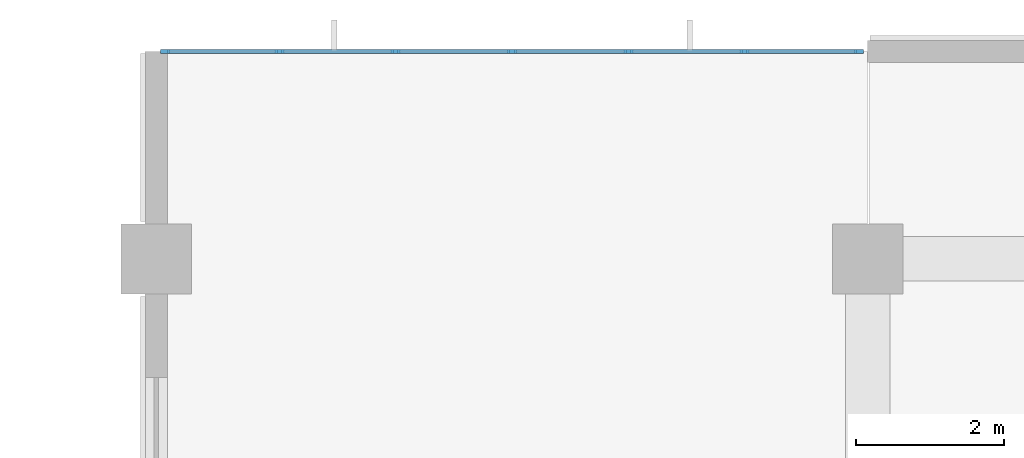
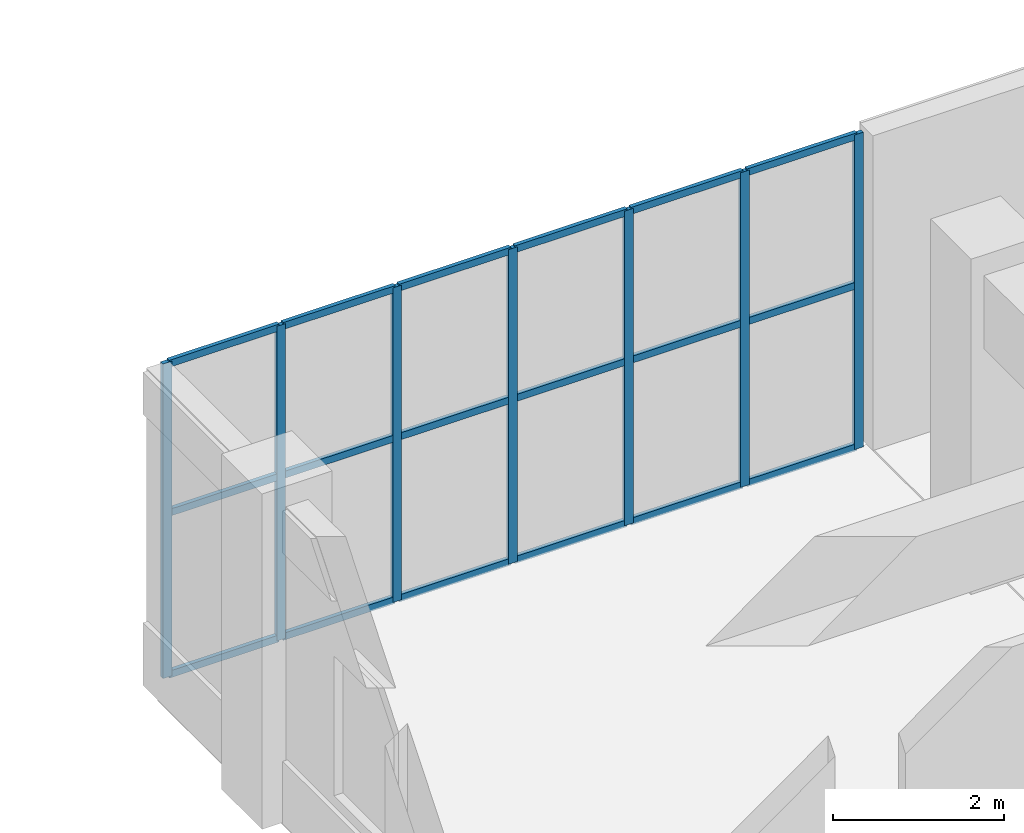
# One storey, part 29 of 86: 25 members, 1 element without a shape of its own.
"""IFC4 building model written with IfcOpenShell, lengths in metres."""

from ifc_helpers import new_model, si_unit, direction, frame, origin, origin_2d, place, context, subcontext, project, spatial, rectangle, extrude, material, layer, layer_set, material_profile, profile_set, type_object, element, aggregate, save


model = new_model("IFC4")

# Units and contexts
model_context = context("Model", 3, precision=1e-05, world=origin(), true_north=direction((0.0, 1.0)))
body_context = subcontext(model_context, "Body", "Model", "MODEL_VIEW")
ifc_project = project(units=[si_unit("LENGTHUNIT", "METRE"), si_unit("AREAUNIT", "SQUARE_METRE"), si_unit("VOLUMEUNIT", "CUBIC_METRE"), si_unit("PLANEANGLEUNIT", "RADIAN"), si_unit("MASSUNIT", "GRAM", prefix="KILO")], contexts=[model_context])

# Site, building, storey
site_placement = place(None, origin())
site = spatial("IfcSite", under=ifc_project, at=site_placement, CompositionType="ELEMENT")
building_placement = place(site_placement, origin())
building = spatial("IfcBuilding", under=site, at=building_placement, Name="Cendralis Terraced Arcade", CompositionType="ELEMENT")
storey_placement = place(building_placement, frame((0.0, 0.0, 5.39990234375)))
storey = spatial("IfcBuildingStorey", under=building, at=storey_placement, Name="L01", CompositionType="ELEMENT", Elevation=5.39990234375)

# Curtain wall, members
ifc_material = material(Name="Anodised aluminium EN AW-6063 T6", Category="aluminium")
ifc_layer = layer(ifc_material, 0.1201171875, Name="CW-STORE-B")
ifc_layer_set = layer_set([ifc_layer], Name="Anodised aluminium EN AW-6063 T6")
curtain_wall_type = type_object("IfcCurtainWallType", Name="CW-STORE-B", PredefinedType="USERDEFINED", material=ifc_layer_set)
curtain_wall_placement = place(storey_placement, origin())
curtain_wall = element("IfcCurtainWall", 1, at=curtain_wall_placement, inside=storey, type_object=curtain_wall_type, Name="Exterior Storefront Glazing CW-L01-0050", ObjectType="STOREFRONT GLAZING", PredefinedType="USERDEFINED")
ifc_material_profile_1 = material_profile(ifc_material, rectangle(XDim=0.054931640625, YDim=0.1201171875, at=origin_2d()), Name="ALU-MUL-55x120")
ifc_profile_set_1 = profile_set([ifc_material_profile_1], Name="Anodised aluminium EN AW-6063 T6")
member_type_1 = type_object("IfcMemberType", Name="CW-STORE-B-MUL", PredefinedType="MULLION", material=ifc_profile_set_1)
member_1_placement = place(storey_placement, frame((48.117431640625, 114.39990234375, 0.0), z_axis=(0.0, 0.0, 1.0), x_axis=(0.0, 1.0, 0.0)))
member_1 = element("IfcMember", 2, at=member_1_placement, type_object=member_type_1, Name="CW-S2 mullion 1", PredefinedType="MULLION", context=body_context, shape_type="SweptSolid", body=[
    extrude(rectangle(XDim=0.054931640625, YDim=0.1201171875, at=origin_2d()), origin(), (0.0, 0.0, 1.0), 4.505126953125),
])
member_2_placement = place(storey_placement, frame((49.659912109375, 114.39990234375, 0.0), z_axis=(0.0, 0.0, 1.0), x_axis=(0.0, 1.0, 0.0)))
member_2 = element("IfcMember", 3, at=member_2_placement, type_object=member_type_1, Name="CW-S2 mullion 2", PredefinedType="MULLION", context=body_context, shape_type="SweptSolid", body=[
    extrude(rectangle(XDim=0.054931640625, YDim=0.1201171875, at=origin_2d()), origin(), (0.0, 0.0, 1.0), 4.505126953125),
])
member_3_placement = place(storey_placement, frame((51.22998046875, 114.39990234375, 0.0), z_axis=(0.0, 0.0, 1.0), x_axis=(0.0, 1.0, 0.0)))
member_3 = element("IfcMember", 4, at=member_3_placement, type_object=member_type_1, Name="CW-S2 mullion 3", PredefinedType="MULLION", context=body_context, shape_type="SweptSolid", body=[
    extrude(rectangle(XDim=0.054931640625, YDim=0.1201171875, at=origin_2d()), origin(), (0.0, 0.0, 1.0), 4.505126953125),
])
member_4_placement = place(storey_placement, frame((52.800048828125, 114.39990234375, 0.0), z_axis=(0.0, 0.0, 1.0), x_axis=(0.0, 1.0, 0.0)))
member_4 = element("IfcMember", 5, at=member_4_placement, type_object=member_type_1, Name="CW-S2 mullion 4", PredefinedType="MULLION", context=body_context, shape_type="SweptSolid", body=[
    extrude(rectangle(XDim=0.054931640625, YDim=0.1201171875, at=origin_2d()), origin(), (0.0, 0.0, 1.0), 4.505126953125),
])
member_5_placement = place(storey_placement, frame((54.3701171875, 114.39990234375, 0.0), z_axis=(0.0, 0.0, 1.0), x_axis=(0.0, 1.0, 0.0)))
member_5 = element("IfcMember", 6, at=member_5_placement, type_object=member_type_1, Name="CW-S2 mullion 5", PredefinedType="MULLION", context=body_context, shape_type="SweptSolid", body=[
    extrude(rectangle(XDim=0.054931640625, YDim=0.1201171875, at=origin_2d()), origin(), (0.0, 0.0, 1.0), 4.505126953125),
])
member_6_placement = place(storey_placement, frame((55.93994140625, 114.39990234375, 0.0), z_axis=(0.0, 0.0, 1.0), x_axis=(0.0, 1.0, 0.0)))
member_6 = element("IfcMember", 7, at=member_6_placement, type_object=member_type_1, Name="CW-S2 mullion 6", PredefinedType="MULLION", context=body_context, shape_type="SweptSolid", body=[
    extrude(rectangle(XDim=0.054931640625, YDim=0.1201171875, at=origin_2d()), origin(), (0.0, 0.0, 1.0), 4.505126953125),
])
member_7_placement = place(storey_placement, frame((57.482421875, 114.39990234375, 0.0), z_axis=(0.0, 0.0, 1.0), x_axis=(0.0, 1.0, 0.0)))
member_7 = element("IfcMember", 8, at=member_7_placement, type_object=member_type_1, Name="CW-S2 mullion 7", PredefinedType="MULLION", context=body_context, shape_type="SweptSolid", body=[
    extrude(rectangle(XDim=0.054931640625, YDim=0.1201171875, at=origin_2d()), origin(), (0.0, 0.0, 1.0), 4.505126953125),
])
ifc_material_profile_2 = material_profile(ifc_material, rectangle(XDim=0.054931640625, YDim=0.10009765625, at=origin_2d()), Name="ALU-TRN-55x100")
ifc_profile_set_2 = profile_set([ifc_material_profile_2], Name="Anodised aluminium EN AW-6063 T6")
member_type_2 = type_object("IfcMemberType", Name="CW-STORE-B-TRN", PredefinedType="USERDEFINED", material=ifc_profile_set_2)
member_8_placement = place(storey_placement, frame((48.14501953125, 114.39990234375, 0.027587890625), z_axis=(1.0, 0.0, 0.0), x_axis=(0.0, 1.0, 0.0)))
member_8 = element("IfcMember", 9, at=member_8_placement, type_object=member_type_2, Name="CW-S2 transom 1.1", ObjectType="TRANSOM", PredefinedType="USERDEFINED", context=body_context, shape_type="SweptSolid", body=[
    extrude(rectangle(XDim=0.054931640625, YDim=0.10009765625, at=origin_2d()), origin(), (0.0, 0.0, 1.0), 1.487548828125),
])
member_9_placement = place(storey_placement, frame((48.14501953125, 114.39990234375, 2.3427734375), z_axis=(1.0, 0.0, 0.0), x_axis=(0.0, 1.0, 0.0)))
member_9 = element("IfcMember", 10, at=member_9_placement, type_object=member_type_2, Name="CW-S2 transom 1.2", ObjectType="TRANSOM", PredefinedType="USERDEFINED", context=body_context, shape_type="SweptSolid", body=[
    extrude(rectangle(XDim=0.054931640625, YDim=0.10009765625, at=origin_2d()), origin(), (0.0, 0.0, 1.0), 1.487548828125),
])
member_10_placement = place(storey_placement, frame((48.14501953125, 114.39990234375, 4.4775390625), z_axis=(1.0, 0.0, 0.0), x_axis=(0.0, 1.0, 0.0)))
member_10 = element("IfcMember", 11, at=member_10_placement, type_object=member_type_2, Name="CW-S2 transom 1.3", ObjectType="TRANSOM", PredefinedType="USERDEFINED", context=body_context, shape_type="SweptSolid", body=[
    extrude(rectangle(XDim=0.054931640625, YDim=0.10009765625, at=origin_2d()), origin(), (0.0, 0.0, 1.0), 1.487548828125),
])
member_11_placement = place(storey_placement, frame((49.6875, 114.39990234375, 0.027587890625), z_axis=(1.0, 0.0, 0.0), x_axis=(0.0, 1.0, 0.0)))
member_11 = element("IfcMember", 12, at=member_11_placement, type_object=member_type_2, Name="CW-S2 transom 2.1", ObjectType="TRANSOM", PredefinedType="USERDEFINED", context=body_context, shape_type="SweptSolid", body=[
    extrude(rectangle(XDim=0.054931640625, YDim=0.10009765625, at=origin_2d()), origin(), (0.0, 0.0, 1.0), 1.514892578125),
])
member_12_placement = place(storey_placement, frame((49.6875, 114.39990234375, 2.3427734375), z_axis=(1.0, 0.0, 0.0), x_axis=(0.0, 1.0, 0.0)))
member_12 = element("IfcMember", 13, at=member_12_placement, type_object=member_type_2, Name="CW-S2 transom 2.2", ObjectType="TRANSOM", PredefinedType="USERDEFINED", context=body_context, shape_type="SweptSolid", body=[
    extrude(rectangle(XDim=0.054931640625, YDim=0.10009765625, at=origin_2d()), origin(), (0.0, 0.0, 1.0), 1.514892578125),
])
member_13_placement = place(storey_placement, frame((49.6875, 114.39990234375, 4.4775390625), z_axis=(1.0, 0.0, 0.0), x_axis=(0.0, 1.0, 0.0)))
member_13 = element("IfcMember", 14, at=member_13_placement, type_object=member_type_2, Name="CW-S2 transom 2.3", ObjectType="TRANSOM", PredefinedType="USERDEFINED", context=body_context, shape_type="SweptSolid", body=[
    extrude(rectangle(XDim=0.054931640625, YDim=0.10009765625, at=origin_2d()), origin(), (0.0, 0.0, 1.0), 1.514892578125),
])
member_14_placement = place(storey_placement, frame((51.257568359375, 114.39990234375, 0.027587890625), z_axis=(1.0, 0.0, 0.0), x_axis=(0.0, 1.0, 0.0)))
member_14 = element("IfcMember", 15, at=member_14_placement, type_object=member_type_2, Name="CW-S2 transom 3.1", ObjectType="TRANSOM", PredefinedType="USERDEFINED", context=body_context, shape_type="SweptSolid", body=[
    extrude(rectangle(XDim=0.054931640625, YDim=0.10009765625, at=origin_2d()), origin(), (0.0, 0.0, 1.0), 1.514892578125),
])
member_15_placement = place(storey_placement, frame((51.257568359375, 114.39990234375, 2.3427734375), z_axis=(1.0, 0.0, 0.0), x_axis=(0.0, 1.0, 0.0)))
member_15 = element("IfcMember", 16, at=member_15_placement, type_object=member_type_2, Name="CW-S2 transom 3.2", ObjectType="TRANSOM", PredefinedType="USERDEFINED", context=body_context, shape_type="SweptSolid", body=[
    extrude(rectangle(XDim=0.054931640625, YDim=0.10009765625, at=origin_2d()), origin(), (0.0, 0.0, 1.0), 1.514892578125),
])
member_16_placement = place(storey_placement, frame((51.257568359375, 114.39990234375, 4.4775390625), z_axis=(1.0, 0.0, 0.0), x_axis=(0.0, 1.0, 0.0)))
member_16 = element("IfcMember", 17, at=member_16_placement, type_object=member_type_2, Name="CW-S2 transom 3.3", ObjectType="TRANSOM", PredefinedType="USERDEFINED", context=body_context, shape_type="SweptSolid", body=[
    extrude(rectangle(XDim=0.054931640625, YDim=0.10009765625, at=origin_2d()), origin(), (0.0, 0.0, 1.0), 1.514892578125),
])
member_17_placement = place(storey_placement, frame((52.827392578125, 114.39990234375, 0.027587890625), z_axis=(1.0, 0.0, 0.0), x_axis=(0.0, 1.0, 0.0)))
member_17 = element("IfcMember", 18, at=member_17_placement, type_object=member_type_2, Name="CW-S2 transom 4.1", ObjectType="TRANSOM", PredefinedType="USERDEFINED", context=body_context, shape_type="SweptSolid", body=[
    extrude(rectangle(XDim=0.054931640625, YDim=0.10009765625, at=origin_2d()), origin(), (0.0, 0.0, 1.0), 1.51513671875),
])
member_18_placement = place(storey_placement, frame((52.827392578125, 114.39990234375, 2.3427734375), z_axis=(1.0, 0.0, 0.0), x_axis=(0.0, 1.0, 0.0)))
member_18 = element("IfcMember", 19, at=member_18_placement, type_object=member_type_2, Name="CW-S2 transom 4.2", ObjectType="TRANSOM", PredefinedType="USERDEFINED", context=body_context, shape_type="SweptSolid", body=[
    extrude(rectangle(XDim=0.054931640625, YDim=0.10009765625, at=origin_2d()), origin(), (0.0, 0.0, 1.0), 1.51513671875),
])
member_19_placement = place(storey_placement, frame((52.827392578125, 114.39990234375, 4.4775390625), z_axis=(1.0, 0.0, 0.0), x_axis=(0.0, 1.0, 0.0)))
member_19 = element("IfcMember", 20, at=member_19_placement, type_object=member_type_2, Name="CW-S2 transom 4.3", ObjectType="TRANSOM", PredefinedType="USERDEFINED", context=body_context, shape_type="SweptSolid", body=[
    extrude(rectangle(XDim=0.054931640625, YDim=0.10009765625, at=origin_2d()), origin(), (0.0, 0.0, 1.0), 1.51513671875),
])
member_20_placement = place(storey_placement, frame((54.3974609375, 114.39990234375, 0.027587890625), z_axis=(1.0, 0.0, 0.0), x_axis=(0.0, 1.0, 0.0)))
member_20 = element("IfcMember", 21, at=member_20_placement, type_object=member_type_2, Name="CW-S2 transom 5.1", ObjectType="TRANSOM", PredefinedType="USERDEFINED", context=body_context, shape_type="SweptSolid", body=[
    extrude(rectangle(XDim=0.054931640625, YDim=0.10009765625, at=origin_2d()), origin(), (0.0, 0.0, 1.0), 1.51513671875),
])
member_21_placement = place(storey_placement, frame((54.3974609375, 114.39990234375, 2.3427734375), z_axis=(1.0, 0.0, 0.0), x_axis=(0.0, 1.0, 0.0)))
member_21 = element("IfcMember", 22, at=member_21_placement, type_object=member_type_2, Name="CW-S2 transom 5.2", ObjectType="TRANSOM", PredefinedType="USERDEFINED", context=body_context, shape_type="SweptSolid", body=[
    extrude(rectangle(XDim=0.054931640625, YDim=0.10009765625, at=origin_2d()), origin(), (0.0, 0.0, 1.0), 1.51513671875),
])
member_22_placement = place(storey_placement, frame((54.3974609375, 114.39990234375, 4.4775390625), z_axis=(1.0, 0.0, 0.0), x_axis=(0.0, 1.0, 0.0)))
member_22 = element("IfcMember", 23, at=member_22_placement, type_object=member_type_2, Name="CW-S2 transom 5.3", ObjectType="TRANSOM", PredefinedType="USERDEFINED", context=body_context, shape_type="SweptSolid", body=[
    extrude(rectangle(XDim=0.054931640625, YDim=0.10009765625, at=origin_2d()), origin(), (0.0, 0.0, 1.0), 1.51513671875),
])
member_23_placement = place(storey_placement, frame((55.967529296875, 114.39990234375, 0.027587890625), z_axis=(1.0, 0.0, 0.0), x_axis=(0.0, 1.0, 0.0)))
member_23 = element("IfcMember", 24, at=member_23_placement, type_object=member_type_2, Name="CW-S2 transom 6.1", ObjectType="TRANSOM", PredefinedType="USERDEFINED", context=body_context, shape_type="SweptSolid", body=[
    extrude(rectangle(XDim=0.054931640625, YDim=0.10009765625, at=origin_2d()), origin(), (0.0, 0.0, 1.0), 1.487548828125),
])
member_24_placement = place(storey_placement, frame((55.967529296875, 114.39990234375, 2.3427734375), z_axis=(1.0, 0.0, 0.0), x_axis=(0.0, 1.0, 0.0)))
member_24 = element("IfcMember", 25, at=member_24_placement, type_object=member_type_2, Name="CW-S2 transom 6.2", ObjectType="TRANSOM", PredefinedType="USERDEFINED", context=body_context, shape_type="SweptSolid", body=[
    extrude(rectangle(XDim=0.054931640625, YDim=0.10009765625, at=origin_2d()), origin(), (0.0, 0.0, 1.0), 1.487548828125),
])
member_25_placement = place(storey_placement, frame((55.967529296875, 114.39990234375, 4.4775390625), z_axis=(1.0, 0.0, 0.0), x_axis=(0.0, 1.0, 0.0)))
member_25 = element("IfcMember", 26, at=member_25_placement, type_object=member_type_2, Name="CW-S2 transom 6.3", ObjectType="TRANSOM", PredefinedType="USERDEFINED", context=body_context, shape_type="SweptSolid", body=[
    extrude(rectangle(XDim=0.054931640625, YDim=0.10009765625, at=origin_2d()), origin(), (0.0, 0.0, 1.0), 1.487548828125),
])
aggregate(curtain_wall, [member_1, member_2, member_3, member_4, member_5, member_6, member_7, member_8, member_9, member_10, member_11, member_12, member_13, member_14, member_15, member_16, member_17, member_18, member_19, member_20, member_21, member_22, member_23, member_24, member_25])

save(model, "model.ifc")
